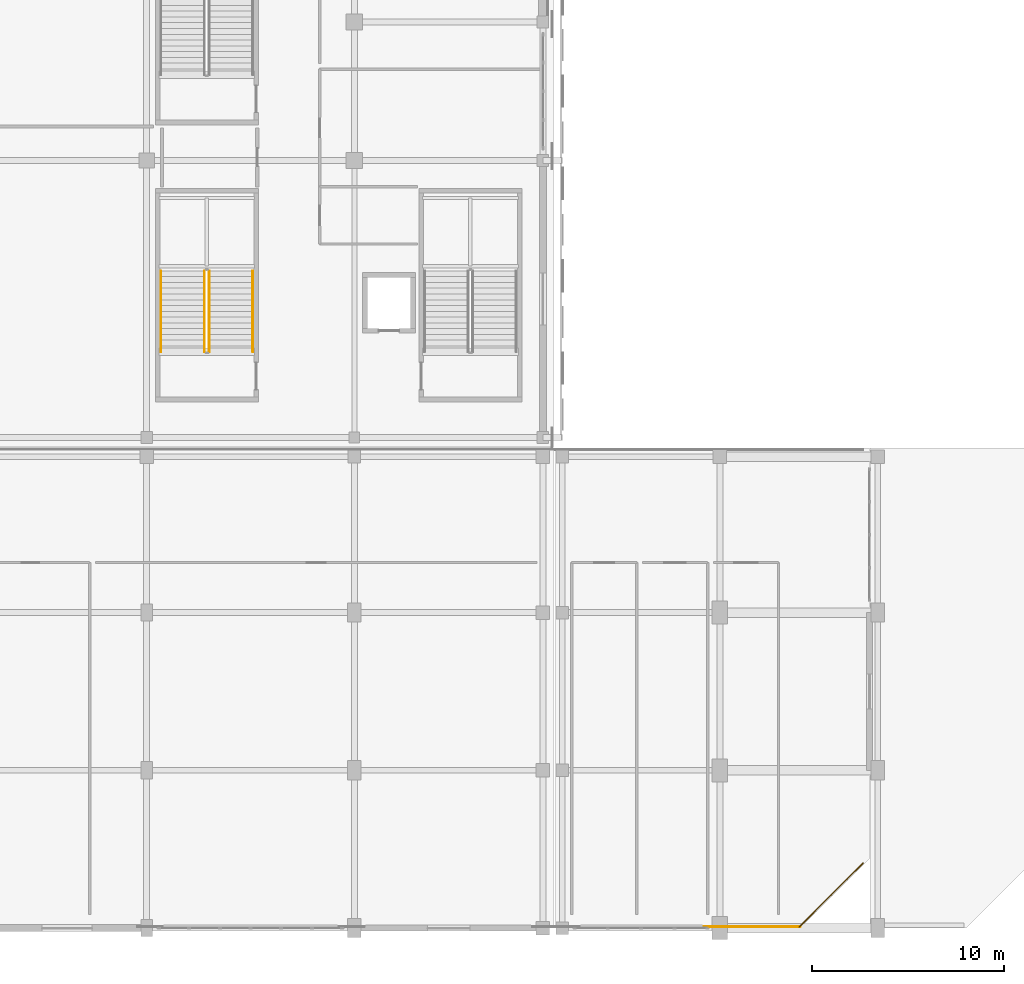
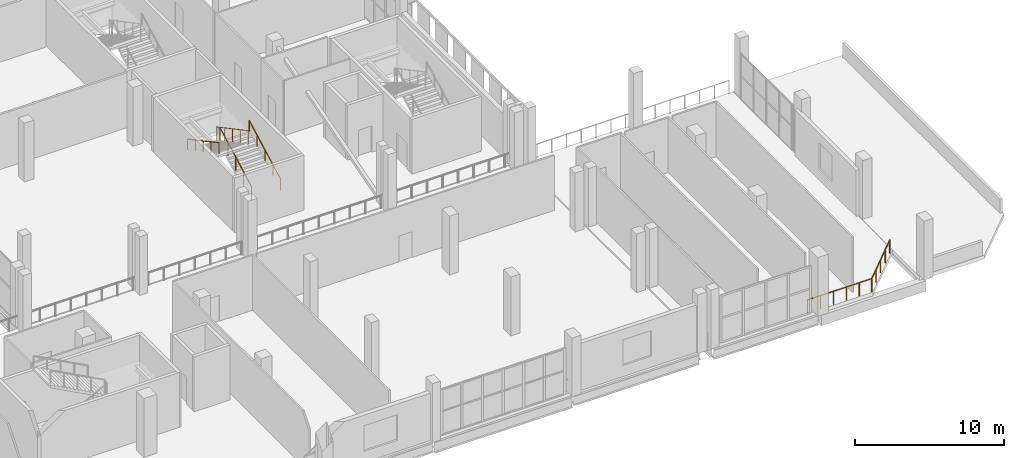
# One storey, part 131 of 142: 6 railings.
"""IFC4 building model written with IfcOpenShell, lengths in metres."""

from ifc_helpers import new_model, si_unit, direction, frame, origin, origin_2d, place, context, subcontext, project, spatial, circle, extrude, material, type_object, element, save


model = new_model("IFC4")

# Units and contexts
model_context = context("Model", 3, precision=1e-05, world=origin(), true_north=direction((0.0, 1.0)))
body_context = subcontext(model_context, "Body", "Model", "MODEL_VIEW")
ifc_project = project(units=[si_unit("LENGTHUNIT", "METRE"), si_unit("AREAUNIT", "SQUARE_METRE"), si_unit("VOLUMEUNIT", "CUBIC_METRE"), si_unit("PLANEANGLEUNIT", "RADIAN"), si_unit("MASSUNIT", "GRAM", prefix="KILO")], contexts=[model_context])

# Site, building, storey
site_placement = place(None, origin())
site = spatial("IfcSite", under=ifc_project, at=site_placement, CompositionType="ELEMENT")
building_placement = place(site_placement, origin())
building = spatial("IfcBuilding", under=site, at=building_placement, Name="Koshinbarg Plaza Stadium", CompositionType="ELEMENT")
storey_placement = place(building_placement, frame((0.0, 0.0, 10.199951171875)))
storey = spatial("IfcBuildingStorey", under=building, at=storey_placement, Name="L02", CompositionType="ELEMENT", Elevation=10.199951171875)

# Railings
ifc_material_1 = material(Name="Toughened laminated glass and stainless steel sightline balustrade", Category="steel")
railing_type_1 = type_object("IfcRailingType", Name="RL-BOWL-1100", PredefinedType="BALUSTRADE", material=ifc_material_1)
railing_1_placement = place(storey_placement, frame((235.0400390625, 3.373046875, 0.0)))
element("IfcRailing", 1, at=railing_1_placement, inside=storey, type_object=railing_type_1, Name="L02 deck edge safety balustrade 0199", PredefinedType="BALUSTRADE", context=body_context, shape_type="SweptSolid", body=[
    extrude(circle(Radius=0.02392578125, at=origin_2d()), frame((0.0, 0.0, 1.076171875), z_axis=(-0.707132806943, -0.707080754473, 0.0), x_axis=(0.707080754473, -0.707132806943, 0.0)), (0.0, 0.0, 1.0), 4.690185546875),
    extrude(circle(Radius=0.02099609375, at=origin_2d()), origin(), (0.0, 0.0, 1.0), 1.052001953125),
    extrude(circle(Radius=0.02099609375, at=origin_2d()), frame((-0.8291015625, -0.8291015625, 0.0)), (0.0, 0.0, 1.0), 1.052001953125),
    extrude(circle(Radius=0.02099609375, at=origin_2d()), frame((-1.658203125, -1.658203125, 0.0)), (0.0, 0.0, 1.0), 1.052001953125),
    extrude(circle(Radius=0.02099609375, at=origin_2d()), frame((-2.487548828125, -2.4873046875, 0.0)), (0.0, 0.0, 1.0), 1.052001953125),
    extrude(circle(Radius=0.02099609375, at=origin_2d()), frame((-3.316650390625, -3.31640625, 0.0)), (0.0, 0.0, 1.0), 1.052001953125),
])
railing_2_placement = place(storey_placement, frame((231.780029296875, 0.080078125, 0.0)))
element("IfcRailing", 2, at=railing_2_placement, inside=storey, type_object=railing_type_1, Name="L02 deck edge safety balustrade 0200", PredefinedType="BALUSTRADE", context=body_context, shape_type="SweptSolid", body=[
    extrude(circle(Radius=0.02392578125, at=origin_2d()), frame((0.0, 0.0, 1.076171875), z_axis=(-1.0, 0.0, 0.0), x_axis=(0.0, -1.0, 0.0)), (0.0, 0.0, 1.0), 4.994384765625),
    extrude(circle(Radius=0.02099609375, at=origin_2d()), origin(), (0.0, 0.0, 1.0), 1.052001953125),
    extrude(circle(Radius=0.02099609375, at=origin_2d()), frame((-0.998779296875, 0.0, 0.0)), (0.0, 0.0, 1.0), 1.052001953125),
    extrude(circle(Radius=0.02099609375, at=origin_2d()), frame((-1.997802734375, 0.0, 0.0)), (0.0, 0.0, 1.0), 1.052001953125),
    extrude(circle(Radius=0.02099609375, at=origin_2d()), frame((-2.99658203125, 0.0, 0.0)), (0.0, 0.0, 1.0), 1.052001953125),
    extrude(circle(Radius=0.02099609375, at=origin_2d()), frame((-3.99560546875, 0.0, 0.0)), (0.0, 0.0, 1.0), 1.052001953125),
    extrude(circle(Radius=0.02099609375, at=origin_2d()), frame((-4.994384765625, 0.0, 0.0)), (0.0, 0.0, 1.0), 1.052001953125),
])
ifc_material_2 = material(Name="Galvanized painted steel guardrail", Category="steel")
railing_type_2 = type_object("IfcRailingType", Name="RL-GUARD-1100", PredefinedType="GUARDRAIL", material=ifc_material_2)
railing_3_placement = place(storey_placement, frame((201.06005859375, 29.9599609375, 0.16015625)))
element("IfcRailing", 3, at=railing_3_placement, inside=storey, type_object=railing_type_2, Name="L02 VX07 stair guard 1", PredefinedType="GUARDRAIL", context=body_context, shape_type="SweptSolid", body=[
    extrude(circle(Radius=0.02392578125, at=origin_2d()), frame((0.0, 0.0, 1.076171875), z_axis=(0.0, 0.882351521365, 0.470590897432), x_axis=(-1.0, 0.0, 0.0)), (0.0, 0.0, 1.0), 4.760009765625),
    extrude(circle(Radius=0.02099609375, at=origin_2d()), origin(), (0.0, 0.0, 1.0), 1.052001953125),
    extrude(circle(Radius=0.02099609375, at=origin_2d()), frame((0.0, 1.050048828125, 0.56005859375)), (0.0, 0.0, 1.0), 1.052001953125),
    extrude(circle(Radius=0.02099609375, at=origin_2d()), frame((0.0, 2.10009765625, 1.1201171875)), (0.0, 0.0, 1.0), 1.052001953125),
    extrude(circle(Radius=0.02099609375, at=origin_2d()), frame((0.0, 3.14990234375, 1.679931640625)), (0.0, 0.0, 1.0), 1.052001953125),
    extrude(circle(Radius=0.02099609375, at=origin_2d()), frame((0.0, 4.199951171875, 2.239990234375)), (0.0, 0.0, 1.0), 1.052001953125),
])
railing_4_placement = place(storey_placement, frame((200.81005859375, 34.159912109375, 2.56005859375)))
element("IfcRailing", 4, at=railing_4_placement, inside=storey, type_object=railing_type_2, Name="L02 VX07 stair guard 3", PredefinedType="GUARDRAIL", context=body_context, shape_type="SweptSolid", body=[
    extrude(circle(Radius=0.02392578125, at=origin_2d()), frame((0.0, 0.0, 1.076171875), z_axis=(0.0, -0.882351521365, 0.470590897432), x_axis=(1.0, 0.0, 0.0)), (0.0, 0.0, 1.0), 4.760009765625),
    extrude(circle(Radius=0.02099609375, at=origin_2d()), origin(), (0.0, 0.0, 1.0), 1.052001953125),
    extrude(circle(Radius=0.02099609375, at=origin_2d()), frame((0.0, -1.050048828125, 0.56005859375)), (0.0, 0.0, 1.0), 1.052001953125),
    extrude(circle(Radius=0.02099609375, at=origin_2d()), frame((0.0, -2.10009765625, 1.1201171875)), (0.0, 0.0, 1.0), 1.052001953125),
    extrude(circle(Radius=0.02099609375, at=origin_2d()), frame((0.0, -3.14990234375, 1.679931640625)), (0.0, 0.0, 1.0), 1.052001953125),
    extrude(circle(Radius=0.02099609375, at=origin_2d()), frame((0.0, -4.199951171875, 2.239990234375)), (0.0, 0.0, 1.0), 1.052001953125),
])
ifc_material_3 = material(Name="Brushed stainless steel handrail", Category="steel")
railing_type_3 = type_object("IfcRailingType", Name="RL-HAND-900", PredefinedType="HANDRAIL", material=ifc_material_3)
railing_5_placement = place(storey_placement, frame((203.320068359375, 29.9599609375, 0.16015625)))
element("IfcRailing", 5, at=railing_5_placement, inside=storey, type_object=railing_type_3, Name="L02 VX07 stair handrail 1", PredefinedType="HANDRAIL", context=body_context, shape_type="SweptSolid", body=[
    extrude(circle(Radius=0.02392578125, at=origin_2d()), frame((0.0, 0.0, 0.8759765625), z_axis=(0.0, 0.882351521365, 0.470590897432), x_axis=(-1.0, 0.0, 0.0)), (0.0, 0.0, 1.0), 4.760009765625),
    extrude(circle(Radius=0.02099609375, at=origin_2d()), origin(), (0.0, 0.0, 1.0), 0.851806640625),
    extrude(circle(Radius=0.02099609375, at=origin_2d()), frame((0.0, 1.050048828125, 0.56005859375)), (0.0, 0.0, 1.0), 0.851806640625),
    extrude(circle(Radius=0.02099609375, at=origin_2d()), frame((0.0, 2.10009765625, 1.1201171875)), (0.0, 0.0, 1.0), 0.851806640625),
    extrude(circle(Radius=0.02099609375, at=origin_2d()), frame((0.0, 3.14990234375, 1.679931640625)), (0.0, 0.0, 1.0), 0.851806640625),
    extrude(circle(Radius=0.02099609375, at=origin_2d()), frame((0.0, 4.199951171875, 2.239990234375)), (0.0, 0.0, 1.0), 0.851806640625),
])
railing_6_placement = place(storey_placement, frame((198.550048828125, 34.159912109375, 2.56005859375)))
element("IfcRailing", 6, at=railing_6_placement, inside=storey, type_object=railing_type_3, Name="L02 VX07 stair handrail 2", PredefinedType="HANDRAIL", context=body_context, shape_type="SweptSolid", body=[
    extrude(circle(Radius=0.02392578125, at=origin_2d()), frame((0.0, 0.0, 0.8759765625), z_axis=(0.0, -0.882351521365, 0.470590897432), x_axis=(1.0, 0.0, 0.0)), (0.0, 0.0, 1.0), 4.760009765625),
    extrude(circle(Radius=0.02099609375, at=origin_2d()), origin(), (0.0, 0.0, 1.0), 0.851806640625),
    extrude(circle(Radius=0.02099609375, at=origin_2d()), frame((0.0, -1.050048828125, 0.56005859375)), (0.0, 0.0, 1.0), 0.851806640625),
    extrude(circle(Radius=0.02099609375, at=origin_2d()), frame((0.0, -2.10009765625, 1.1201171875)), (0.0, 0.0, 1.0), 0.851806640625),
    extrude(circle(Radius=0.02099609375, at=origin_2d()), frame((0.0, -3.14990234375, 1.679931640625)), (0.0, 0.0, 1.0), 0.851806640625),
    extrude(circle(Radius=0.02099609375, at=origin_2d()), frame((0.0, -4.199951171875, 2.239990234375)), (0.0, 0.0, 1.0), 0.851806640625),
])

save(model, "model.ifc")
